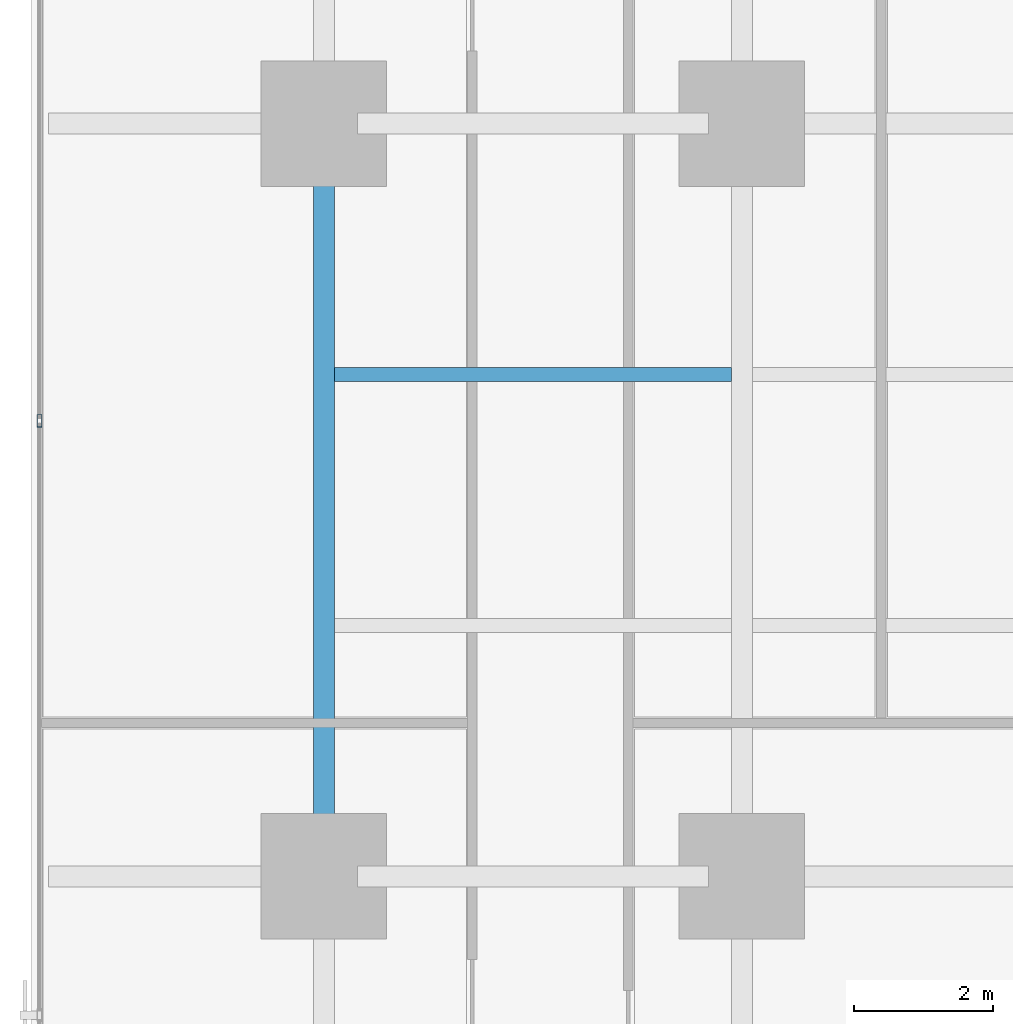
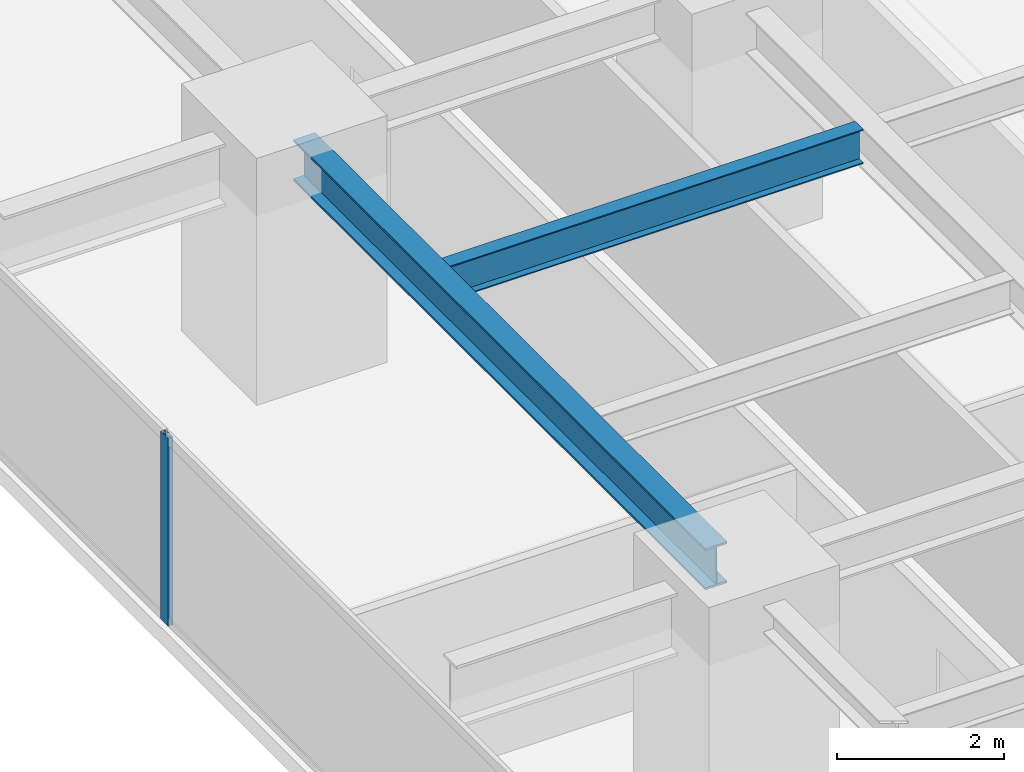
# One storey, part 7 of 34: 2 beams, 1 member, 1 element without a shape of its own.
"""IFC4 building model written with IfcOpenShell, lengths in metres."""

from ifc_helpers import new_model, si_unit, direction, frame, origin, origin_2d, place, context, subcontext, project, spatial, hollow_rectangle, i_section, extrude, source, transform, mapped, material, layer, layer_set, material_profile, profile_set, type_object, element, aggregate, save


model = new_model("IFC4")

# Units and contexts
model_context = context("Model", 3, precision=1e-05, world=origin(), true_north=direction((0.0, 1.0)))
body_context = subcontext(model_context, "Body", "Model", "MODEL_VIEW")
ifc_project = project(units=[si_unit("LENGTHUNIT", "METRE"), si_unit("AREAUNIT", "SQUARE_METRE"), si_unit("VOLUMEUNIT", "CUBIC_METRE"), si_unit("PLANEANGLEUNIT", "RADIAN"), si_unit("MASSUNIT", "GRAM", prefix="KILO")], contexts=[model_context])

# Site, building, storey
site_placement = place(None, origin())
site = spatial("IfcSite", under=ifc_project, at=site_placement, CompositionType="ELEMENT")
building_placement = place(site_placement, origin())
building = spatial("IfcBuilding", under=site, at=building_placement, Name="Sumidabori Civic Tower", CompositionType="ELEMENT")
storey_placement = place(building_placement, frame((0.0, 0.0, 41.60009765625)))
storey = spatial("IfcBuildingStorey", under=building, at=storey_placement, Name="L10", CompositionType="ELEMENT", Elevation=41.60009765625)

# Beams
ifc_material_1 = material(Name="Steel SN490", Category="steel")
ifc_material_profile_1 = material_profile(ifc_material_1, i_section(OverallWidth=0.300048828125, OverallDepth=0.60009765625, WebThickness=0.015380859375, FlangeThickness=0.030029296875, at=origin_2d()), Name="HE 600 B")
ifc_profile_set_1 = profile_set([ifc_material_profile_1], Name="Steel SN490")
beam_type_1 = type_object("IfcBeamType", Name="BM-GIRD-600", PredefinedType="BEAM", material=ifc_profile_set_1)
shared_shape_1 = source(origin(), body_context, "Body", "SweptSolid", [
    extrude(i_section(OverallWidth=0.300048828125, OverallDepth=0.60009765625, WebThickness=0.015380859375, FlangeThickness=0.030029296875, at=origin_2d()), origin(), (0.0, 0.0, 1.0), 9.840087890625),
])
beam_1_placement = place(storey_placement, frame((-22.800048828125, -10.320068359375, 3.059814453125), z_axis=(0.0, 1.0, 0.0), x_axis=(-1.0, 0.0, 0.0)))
element("IfcBeam", 1, at=beam_1_placement, inside=storey, type_object=beam_type_1, Name="Primary Girder L10 GY-22", PredefinedType="BEAM", context=body_context, shape_type="MappedRepresentation", body=[
    mapped(shared_shape_1, transform((0.0, 0.0, 0.0), x_axis=(1.0, 0.0, 0.0), y_axis=(0.0, 1.0, 0.0), z_axis=(0.0, 0.0, 1.0), scale=1.0)),
])
ifc_material_profile_2 = material_profile(ifc_material_1, i_section(OverallWidth=0.199951171875, OverallDepth=0.5, WebThickness=0.01025390625, FlangeThickness=0.01611328125, at=origin_2d()), Name="IPE 500")
ifc_profile_set_2 = profile_set([ifc_material_profile_2], Name="Steel SN490")
beam_type_2 = type_object("IfcBeamType", Name="BM-JST-500", PredefinedType="JOIST", material=ifc_profile_set_2)
shared_shape_2 = source(origin(), body_context, "Body", "SweptSolid", [
    extrude(i_section(OverallWidth=0.199951171875, OverallDepth=0.5, WebThickness=0.01025390625, FlangeThickness=0.01611328125, at=origin_2d()), origin(), (0.0, 0.0, 1.0), 5.699951171875),
])
beam_2_placement = place(storey_placement, frame((-22.64990234375, -3.60009765625, 3.10986328125), z_axis=(1.0, 0.0, 0.0), x_axis=(0.0, 1.0, 0.0)))
element("IfcBeam", 2, at=beam_2_placement, inside=storey, type_object=beam_type_2, Name="Outer Bay Floor Joist L10 JSTO-51", PredefinedType="JOIST", context=body_context, shape_type="MappedRepresentation", body=[
    mapped(shared_shape_2, transform((0.0, 0.0, 0.0), x_axis=(1.0, 0.0, 0.0), y_axis=(0.0, 1.0, 0.0), z_axis=(0.0, 0.0, 1.0), scale=1.0)),
])

# Curtain wall, member
ifc_material_2 = material(Name="Anodised Bronze Aluminium AW-6063-T6", Category="aluminium")
ifc_layer = layer(ifc_material_2, 0.179931640625, Name="Anodised Bronze Aluminium AW-6063-T6")
ifc_layer_set = layer_set([ifc_layer], Name="Anodised Bronze Aluminium AW-6063-T6")
curtain_wall_type = type_object("IfcCurtainWallType", Name="CW-SYS-2", PredefinedType="NOTDEFINED", material=ifc_layer_set)
curtain_wall_placement = place(storey_placement, origin())
curtain_wall = element("IfcCurtainWall", 3, at=curtain_wall_placement, inside=storey, type_object=curtain_wall_type, Name="Curtain Wall CW:L10:R10", PredefinedType="NOTDEFINED")
ifc_material_profile_3 = material_profile(ifc_material_2, hollow_rectangle(XDim=0.070068359375, YDim=0.179931640625, WallThickness=0.006103515625, at=origin_2d()), Name="ALU MULLION 180x70")
ifc_profile_set_3 = profile_set([ifc_material_profile_3], Name="Anodised Bronze Aluminium AW-6063-T6")
member_type = type_object("IfcMemberType", Name="CW-MUL-180", PredefinedType="MULLION", material=ifc_profile_set_3)
shared_shape_3 = source(origin(), body_context, "Body", "SweptSolid", [
    extrude(hollow_rectangle(XDim=0.070068359375, YDim=0.179931640625, WallThickness=0.006103515625, at=origin_2d()), origin(), (0.0, 0.0, 1.0), 2.739990234375),
])
member_placement = place(storey_placement, frame((-26.8798828125, -4.263916015625, 0.0), z_axis=(0.0, 0.0, 1.0), x_axis=(1.0, 0.0, 0.0)))
member = element("IfcMember", 4, at=member_placement, type_object=member_type, Name="CW-2 mullion 4", PredefinedType="MULLION", context=body_context, shape_type="MappedRepresentation", body=[
    mapped(shared_shape_3, transform((0.0, 0.0, 0.0), x_axis=(1.0, 0.0, 0.0), y_axis=(0.0, 1.0, 0.0), z_axis=(0.0, 0.0, 1.0), scale=1.0)),
])
aggregate(curtain_wall, [member])

save(model, "model.ifc")
